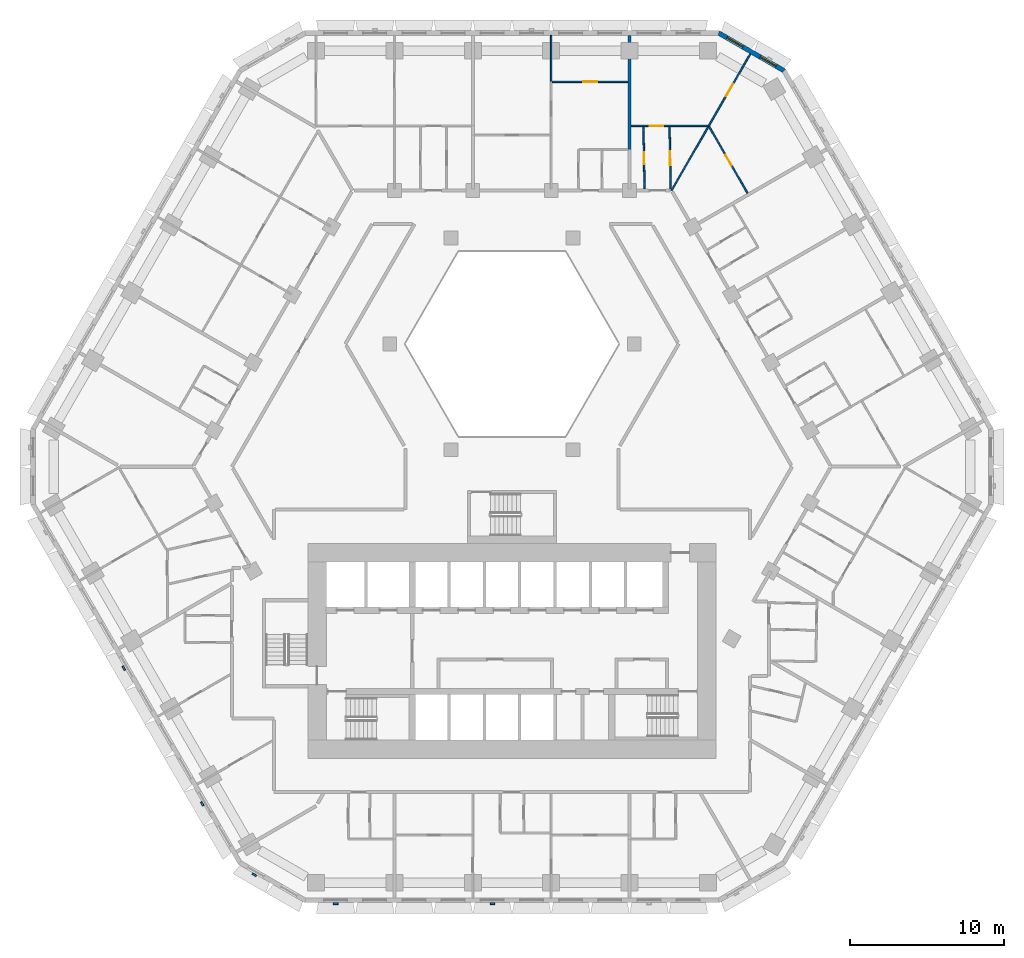
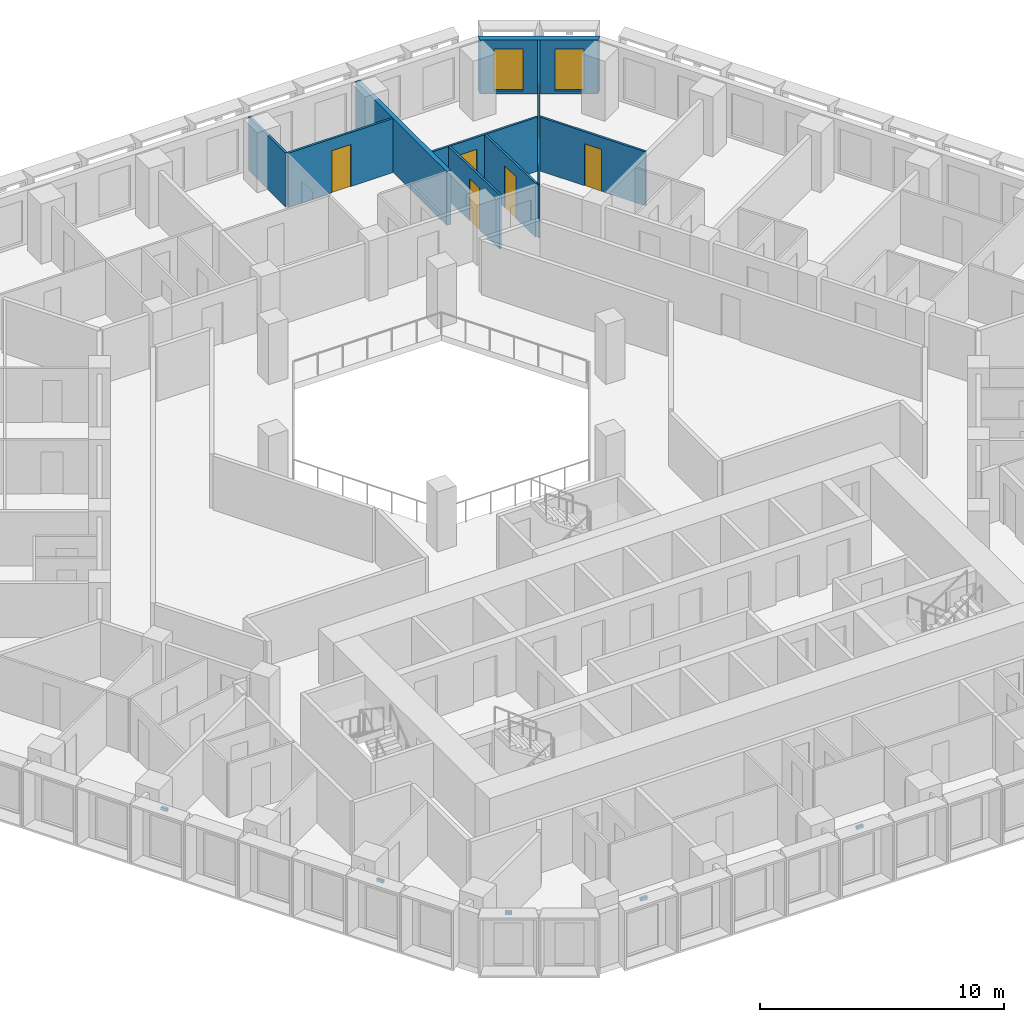
# One storey, part 12 of 21: 9 walls, 6 doors, 5 discrete accessories, 2 windows, 8 openings.
"""IFC4 building model written with IfcOpenShell, lengths in metres."""

from ifc_helpers import new_model, si_unit, direction, frame, frame_2d, origin, place, context, subcontext, project, spatial, polyline, rectangle, outline, extrude, source, transform, mapped, material, layer, layer_set, type_object, type_shapes, element, fill, save


model = new_model("IFC4")

# Units and contexts
model_context = context("Model", 3, precision=1e-05, world=origin(), true_north=direction((0.0, 1.0)))
body_context = subcontext(model_context, "Body", "Model", "MODEL_VIEW")
ifc_project = project(units=[si_unit("LENGTHUNIT", "METRE"), si_unit("AREAUNIT", "SQUARE_METRE"), si_unit("VOLUMEUNIT", "CUBIC_METRE"), si_unit("PLANEANGLEUNIT", "RADIAN"), si_unit("MASSUNIT", "GRAM", prefix="KILO")], contexts=[model_context])

# Site, building, storey
site_placement = place(None, origin())
site = spatial("IfcSite", under=ifc_project, at=site_placement, CompositionType="ELEMENT")
building_placement = place(site_placement, origin())
building = spatial("IfcBuilding", under=site, at=building_placement, Name="Beryl Residences", CompositionType="ELEMENT")
storey_placement = place(building_placement, frame((0.0, 0.0, 47.39990234375)))
storey = spatial("IfcBuildingStorey", under=building, at=storey_placement, Name="L14", CompositionType="ELEMENT", Elevation=47.39990234375)

# Wall, openings, windows
ifc_material_1 = material(Name="Composite metal panel with mineral wool insulation")
ifc_layer_1 = layer(ifc_material_1, 0.300048828125)
ifc_layer_set_1 = layer_set([ifc_layer_1], Name="ES1 pale metal composite panel wall 300 mm")
wall_type_1 = type_object("IfcWallType", Name="ES1 pale metal composite panel wall 300 mm", PredefinedType="SOLIDWALL", material=ifc_layer_set_1)
wall_1_placement = place(storey_placement, frame((17.764892578125, 25.77001953125, 0.0), z_axis=(0.0, 0.0, 1.0), x_axis=(-0.866010750942, 0.50002537861, 0.0)))
wall_1 = element("IfcWall", 1, at=wall_1_placement, inside=storey, type_object=wall_type_1, Name="ES1 external wall L14 NE-N", PredefinedType="SOLIDWALL", context=body_context, shape_type="SweptSolid", body=[
    extrude(outline(polyline([(0.0, -0.14990234375), (4.999755859375, -0.14990234375), (4.91943359375, 0.14990234375), (0.080322265625, 0.14990234375), (0.0, -0.14990234375)])), origin(), (0.0, 0.0, 1.0), 2.7001953125),
])
opening_1_placement = place(wall_1_placement, frame((0.64990234375, 0.0, 0.14990234375)))
opening_1 = element("IfcOpeningElement", 2, at=opening_1_placement, cuts=wall_1, Name="Opening W2", PredefinedType="OPENING", context=body_context, shape_type="SweptSolid", body=[
    extrude(rectangle(XDim=1.199951171875, YDim=2.10009765625, at=frame_2d((0.60009765625, 1.050048828125))), frame((0.0, 0.159912109375, 0.0), z_axis=(0.0, -1.0, 0.0), x_axis=(1.0, 0.0, 0.0)), (0.0, 0.0, 1.0), 0.320068359375),
])
opening_2_placement = place(wall_1_placement, frame((3.14990234375, 0.0, 0.14990234375)))
opening_2 = element("IfcOpeningElement", 3, at=opening_2_placement, cuts=wall_1, Name="Opening W2", PredefinedType="OPENING", context=body_context, shape_type="SweptSolid", body=[
    extrude(rectangle(XDim=1.199951171875, YDim=2.10009765625, at=frame_2d((0.60009765625, 1.050048828125))), frame((0.0, 0.159912109375, 0.0), z_axis=(0.0, -1.0, 0.0), x_axis=(1.0, 0.0, 0.0)), (0.0, 0.0, 1.0), 0.320068359375),
])
ifc_material_2 = material(Name="Aluminium and clear glass", Category="aluminium")
window_type = type_object("IfcWindowType", Name="W2 chamfer window 1200 x 2100 mm", PartitioningType="SINGLE_PANEL", PredefinedType="WINDOW", material=ifc_material_2)
window_1_placement = place(opening_1_placement, origin())
window_1 = element("IfcWindow", 4, at=window_1_placement, inside=storey, type_object=window_type, Name="W2 window L14 NE-N 1", OverallHeight=2.10009765625, OverallWidth=1.199951171875, PartitioningType="SINGLE_PANEL", PredefinedType="WINDOW", context=body_context, shape_type="SweptSolid", body=[
    extrude(rectangle(XDim=1.199951171875, YDim=2.10009765625, at=frame_2d((0.60009765625, 1.050048828125))), frame((0.0, 0.030029296875, 0.0), z_axis=(0.0, -1.0, 0.0), x_axis=(1.0, 0.0, 0.0)), (0.0, 0.0, 1.0), 0.06005859375),
])
fill(opening_1, window_1)
window_2_placement = place(opening_2_placement, origin())
window_2 = element("IfcWindow", 5, at=window_2_placement, inside=storey, type_object=window_type, Name="W2 window L14 NE-N 2", OverallHeight=2.10009765625, OverallWidth=1.199951171875, PartitioningType="SINGLE_PANEL", PredefinedType="WINDOW", context=body_context, shape_type="SweptSolid", body=[
    extrude(rectangle(XDim=1.199951171875, YDim=2.10009765625, at=frame_2d((0.60009765625, 1.050048828125))), frame((0.0, 0.030029296875, 0.0), z_axis=(0.0, -1.0, 0.0), x_axis=(1.0, 0.0, 0.0)), (0.0, 0.0, 1.0), 0.06005859375),
])
fill(opening_2, window_2)

# Wall, opening, door
ifc_material_3 = material(Name="Gypsum board partition on steel studs", Category="steel")
ifc_layer_2 = layer(ifc_material_3, 0.10009765625)
ifc_layer_set_2 = layer_set([ifc_layer_2], Name="PT1 partition 100 mm gypsum board on steel studs")
wall_type_2 = type_object("IfcWallType", Name="PT1 partition 100 mm gypsum board on steel studs", PredefinedType="PARTITIONING", material=ifc_layer_set_2)
wall_2_placement = place(storey_placement, frame((12.845947265625, 22.14990234375, 0.0), z_axis=(0.0, 0.0, 1.0), x_axis=(0.500002715276, -0.866023836113, 0.0)))
wall_2 = element("IfcWall", 6, at=wall_2_placement, inside=storey, type_object=wall_type_2, Name="Wall PT1 L14 006", PredefinedType="PARTITIONING", context=body_context, shape_type="SweptSolid", body=[
    extrude(rectangle(XDim=5.001953125, YDim=0.10009765625, at=frame_2d((2.5009765625, 0.0))), origin(), (0.0, 0.0, 1.0), 2.7001953125),
])
opening_3_placement = place(wall_2_placement, frame((2.1220703125, 0.0, 0.0)))
opening_3 = element("IfcOpeningElement", 7, at=opening_3_placement, cuts=wall_2, Name="Opening D0268", PredefinedType="OPENING", context=body_context, shape_type="SweptSolid", body=[
    extrude(rectangle(XDim=0.800048828125, YDim=2.10009765625, at=frame_2d((0.39990234375, 1.050048828125))), frame((0.0, 0.06005859375, 0.0), z_axis=(0.0, -1.0, 0.0), x_axis=(1.0, 0.0, 0.0)), (0.0, 0.0, 1.0), 0.1201171875),
])
ifc_material_4 = material(Name="Timber door leaf", Category="wood")
door_type_1 = type_object("IfcDoorType", Name="D3 bathroom door 800 x 2100 mm", OperationType="SINGLE_SWING_LEFT", PredefinedType="DOOR", material=ifc_material_4)
door_1_placement = place(opening_3_placement, origin())
door_1 = element("IfcDoor", 8, at=door_1_placement, inside=storey, type_object=door_type_1, Name="Door D0268 L14 001", OperationType="SINGLE_SWING_RIGHT", OverallHeight=2.10009765625, OverallWidth=0.800048828125, PredefinedType="DOOR", context=body_context, shape_type="SweptSolid", body=[
    extrude(rectangle(XDim=0.800048828125, YDim=2.10009765625, at=frame_2d((0.39990234375, 1.050048828125))), frame((0.0, 0.02490234375, 0.0), z_axis=(0.0, -1.0, 0.0), x_axis=(1.0, 0.0, 0.0)), (0.0, 0.0, 1.0), 0.050048828125),
])
fill(opening_3, door_1)

wall_3_placement = place(storey_placement, frame((8.56201171875, 22.14990234375, 0.0), z_axis=(0.0, 0.0, 1.0), x_axis=(0.018504185939, -0.999828782894, 0.0)))
wall_3 = element("IfcWall", 9, at=wall_3_placement, inside=storey, type_object=wall_type_2, Name="Wall PT1 L14 008", PredefinedType="PARTITIONING", context=body_context, shape_type="SweptSolid", body=[
    extrude(rectangle(XDim=4.050537109375, YDim=0.10009765625, at=frame_2d((2.025390625, 0.0))), origin(), (0.0, 0.0, 1.0), 2.7001953125),
])
opening_4_placement = place(wall_3_placement, frame((1.64990234375, 0.0, 0.0)))
opening_4 = element("IfcOpeningElement", 10, at=opening_4_placement, cuts=wall_3, Name="Opening D0264", PredefinedType="OPENING", context=body_context, shape_type="SweptSolid", body=[
    extrude(rectangle(XDim=0.800048828125, YDim=2.10009765625, at=frame_2d((0.39990234375, 1.050048828125))), frame((0.0, 0.06005859375, 0.0), z_axis=(0.0, -1.0, 0.0), x_axis=(1.0, 0.0, 0.0)), (0.0, 0.0, 1.0), 0.1201171875),
])
door_2_placement = place(opening_4_placement, origin())
door_2 = element("IfcDoor", 11, at=door_2_placement, inside=storey, type_object=door_type_1, Name="Door D0264 L14 001", OperationType="SINGLE_SWING_RIGHT", OverallHeight=2.10009765625, OverallWidth=0.800048828125, PredefinedType="DOOR", context=body_context, shape_type="SweptSolid", body=[
    extrude(rectangle(XDim=0.800048828125, YDim=2.10009765625, at=frame_2d((0.39990234375, 1.050048828125))), frame((0.0, 0.02490234375, 0.0), z_axis=(0.0, -1.0, 0.0), x_axis=(1.0, 0.0, 0.0)), (0.0, 0.0, 1.0), 0.050048828125),
])
fill(opening_4, door_2)

wall_4_placement = place(storey_placement, frame((10.261962890625, 22.14990234375, 0.0), z_axis=(0.0, 0.0, 1.0), x_axis=(0.018730524712, -0.999824568334, 0.0)))
wall_4 = element("IfcWall", 12, at=wall_4_placement, inside=storey, type_object=wall_type_2, Name="Wall PT1 L14 009", PredefinedType="PARTITIONING", context=body_context, shape_type="SweptSolid", body=[
    extrude(rectangle(XDim=4.0537109375, YDim=0.10009765625, at=frame_2d((2.02685546875, 0.0))), origin(), (0.0, 0.0, 1.0), 2.7001953125),
])
opening_5_placement = place(wall_4_placement, frame((1.60009765625, 0.0, 0.0)))
opening_5 = element("IfcOpeningElement", 13, at=opening_5_placement, cuts=wall_4, Name="Opening D0265", PredefinedType="OPENING", context=body_context, shape_type="SweptSolid", body=[
    extrude(rectangle(XDim=0.89990234375, YDim=2.10009765625, at=frame_2d((0.449951171875, 1.050048828125))), frame((0.0, 0.06005859375, 0.0), z_axis=(0.0, -1.0, 0.0), x_axis=(1.0, 0.0, 0.0)), (0.0, 0.0, 1.0), 0.1201171875),
])
ifc_material_5 = material(Name="Timber door leaf", Category="wood")
door_type_2 = type_object("IfcDoorType", Name="D2 room door 900 x 2100 mm", OperationType="SINGLE_SWING_LEFT", PredefinedType="DOOR", material=ifc_material_5)
door_3_placement = place(opening_5_placement, origin())
door_3 = element("IfcDoor", 14, at=door_3_placement, inside=storey, type_object=door_type_2, Name="Door D0265 L14 001", OperationType="SINGLE_SWING_LEFT", OverallHeight=2.10009765625, OverallWidth=0.89990234375, PredefinedType="DOOR", context=body_context, shape_type="SweptSolid", body=[
    extrude(rectangle(XDim=0.89990234375, YDim=2.10009765625, at=frame_2d((0.449951171875, 1.050048828125))), frame((0.0, 0.02490234375, 0.0), z_axis=(0.0, -1.0, 0.0), x_axis=(1.0, 0.0, 0.0)), (0.0, 0.0, 1.0), 0.050048828125),
])
fill(opening_5, door_3)

# Wall
wall_5_placement = place(storey_placement, frame((2.551025390625, 28.10009765625, 0.0), z_axis=(0.0, 0.0, 1.0), x_axis=(0.0, -1.0, 0.0)))
element("IfcWall", 15, at=wall_5_placement, inside=storey, type_object=wall_type_2, Name="Wall PT1 L14 013", PredefinedType="PARTITIONING", context=body_context, shape_type="SweptSolid", body=[
    extrude(rectangle(XDim=3.0, YDim=0.10009765625, at=frame_2d((1.5, 0.0))), origin(), (0.0, 0.0, 1.0), 2.7001953125),
])

# Wall, opening, door
wall_6_placement = place(storey_placement, frame((7.7548828125, 22.199951171875, 0.0), z_axis=(0.0, 0.0, 1.0), x_axis=(1.0, 0.0, 0.0)))
wall_6 = element("IfcWall", 16, at=wall_6_placement, inside=storey, type_object=wall_type_2, Name="Wall PT1 L14 038", PredefinedType="PARTITIONING", context=body_context, shape_type="SweptSolid", body=[
    extrude(rectangle(XDim=5.005126953125, YDim=0.10009765625, at=frame_2d((2.50244140625, 0.0))), origin(), (0.0, 0.0, 1.0), 2.7001953125),
])
opening_6_placement = place(wall_6_placement, frame((1.2060546875, 0.0, 0.0)))
opening_6 = element("IfcOpeningElement", 17, at=opening_6_placement, cuts=wall_6, Name="Opening D0266", PredefinedType="OPENING", context=body_context, shape_type="SweptSolid", body=[
    extrude(rectangle(XDim=0.89990234375, YDim=2.10009765625, at=frame_2d((0.449951171875, 1.050048828125))), frame((0.0, 0.06005859375, 0.0), z_axis=(0.0, -1.0, 0.0), x_axis=(1.0, 0.0, 0.0)), (0.0, 0.0, 1.0), 0.1201171875),
])
door_4_placement = place(opening_6_placement, origin())
door_4 = element("IfcDoor", 18, at=door_4_placement, inside=storey, type_object=door_type_2, Name="Door D0266 L14 001", OperationType="SINGLE_SWING_RIGHT", OverallHeight=2.10009765625, OverallWidth=0.89990234375, PredefinedType="DOOR", context=body_context, shape_type="SweptSolid", body=[
    extrude(rectangle(XDim=0.89990234375, YDim=2.10009765625, at=frame_2d((0.449951171875, 1.050048828125))), frame((0.0, 0.02490234375, 0.0), z_axis=(0.0, -1.0, 0.0), x_axis=(1.0, 0.0, 0.0)), (0.0, 0.0, 1.0), 0.050048828125),
])
fill(opening_6, door_4)

wall_7_placement = place(storey_placement, frame((2.60107421875, 25.070068359375, 0.0), z_axis=(0.0, 0.0, 1.0), x_axis=(1.0, 0.0, 0.0)))
wall_7 = element("IfcWall", 19, at=wall_7_placement, inside=storey, type_object=wall_type_2, Name="Wall PT1 L14 039", PredefinedType="PARTITIONING", context=body_context, shape_type="SweptSolid", body=[
    extrude(rectangle(XDim=4.953857421875, YDim=0.10009765625, at=frame_2d((2.47705078125, 0.0))), origin(), (0.0, 0.0, 1.0), 2.7001953125),
])
opening_7_placement = place(wall_7_placement, frame((2.052001953125, 0.0, 0.0)))
opening_7 = element("IfcOpeningElement", 20, at=opening_7_placement, cuts=wall_7, Name="Opening D0272", PredefinedType="OPENING", context=body_context, shape_type="SweptSolid", body=[
    extrude(rectangle(XDim=0.89990234375, YDim=2.10009765625, at=frame_2d((0.449951171875, 1.050048828125))), frame((0.0, 0.06005859375, 0.0), z_axis=(0.0, -1.0, 0.0), x_axis=(1.0, 0.0, 0.0)), (0.0, 0.0, 1.0), 0.1201171875),
])
door_5_placement = place(opening_7_placement, origin())
door_5 = element("IfcDoor", 21, at=door_5_placement, inside=storey, type_object=door_type_2, Name="Door D0272 L14 001", OperationType="SINGLE_SWING_RIGHT", OverallHeight=2.10009765625, OverallWidth=0.89990234375, PredefinedType="DOOR", context=body_context, shape_type="SweptSolid", body=[
    extrude(rectangle(XDim=0.89990234375, YDim=2.10009765625, at=frame_2d((0.449951171875, 1.050048828125))), frame((0.0, 0.02490234375, 0.0), z_axis=(0.0, -1.0, 0.0), x_axis=(1.0, 0.0, 0.0)), (0.0, 0.0, 1.0), 0.050048828125),
])
fill(opening_7, door_5)

wall_8_placement = place(storey_placement, frame((10.39306640625, 18.0, 0.0), z_axis=(0.0, 0.0, 1.0), x_axis=(0.499945497007, 0.866056868816, 0.0)))
wall_8 = element("IfcWall", 22, at=wall_8_placement, inside=storey, type_object=wall_type_2, Name="Wall PT1 L14 041", PredefinedType="PARTITIONING", context=body_context, shape_type="SweptSolid", body=[
    extrude(rectangle(XDim=10.264892578125, YDim=0.10009765625, at=frame_2d((5.13232421875, 0.0))), origin(), (0.0, 0.0, 1.0), 2.7001953125),
])
opening_8_placement = place(wall_8_placement, frame((7.10791015625, 0.0, 0.0)))
opening_8 = element("IfcOpeningElement", 23, at=opening_8_placement, cuts=wall_8, Name="Opening D0267", PredefinedType="OPENING", context=body_context, shape_type="SweptSolid", body=[
    extrude(rectangle(XDim=0.89990234375, YDim=2.10009765625, at=frame_2d((0.449951171875, 1.050048828125))), frame((0.0, 0.06005859375, 0.0), z_axis=(0.0, -1.0, 0.0), x_axis=(1.0, 0.0, 0.0)), (0.0, 0.0, 1.0), 0.1201171875),
])
door_6_placement = place(opening_8_placement, origin())
door_6 = element("IfcDoor", 24, at=door_6_placement, inside=storey, type_object=door_type_2, Name="Door D0267 L14 001", OperationType="SINGLE_SWING_LEFT", OverallHeight=2.10009765625, OverallWidth=0.89990234375, PredefinedType="DOOR", context=body_context, shape_type="SweptSolid", body=[
    extrude(rectangle(XDim=0.89990234375, YDim=2.10009765625, at=frame_2d((0.449951171875, 1.050048828125))), frame((0.0, 0.02490234375, 0.0), z_axis=(0.0, -1.0, 0.0), x_axis=(1.0, 0.0, 0.0)), (0.0, 0.0, 1.0), 0.050048828125),
])
fill(opening_8, door_6)

# Wall
ifc_material_6 = material(Name="Acoustic double stud gypsum board wall")
ifc_layer_3 = layer(ifc_material_6, 0.199951171875)
ifc_layer_set_3 = layer_set([ifc_layer_3], Name="PT3 party wall 200 mm acoustic double stud")
wall_type_3 = type_object("IfcWallType", Name="PT3 party wall 200 mm acoustic double stud", PredefinedType="PARTITIONING", material=ifc_layer_set_3)
wall_9_placement = place(storey_placement, frame((7.655029296875, 20.639892578125, 0.0), z_axis=(0.0, 0.0, 1.0), x_axis=(0.0, 1.0, 0.0)))
element("IfcWall", 25, at=wall_9_placement, inside=storey, type_object=wall_type_3, Name="Wall PT3 L14 019", PredefinedType="PARTITIONING", context=body_context, shape_type="SweptSolid", body=[
    extrude(rectangle(XDim=7.460205078125, YDim=0.199951171875, at=frame_2d((3.72998046875, 0.0))), origin(), (0.0, 0.0, 1.0), 2.7001953125),
])

# Discrete accessories
ifc_material_7 = material(Name="Steel S355", Category="steel")
discrete_accessory_type = type_object("IfcDiscreteAccessoryType", Name="BR1 frame bracket 300 x 120 x 150 mm", PredefinedType="BRACKET", material=ifc_material_7)
shared_shape = source(origin(), body_context, "Body", "SweptSolid", [
    extrude(outline(polyline([(-0.14990234375, 0.0), (0.14990234375, 0.0), (0.14990234375, 0.1201171875), (-0.14990234375, 0.1201171875), (-0.14990234375, 0.0)])), origin(), (0.0, 0.0, 1.0), 0.14990234375),
])
type_shapes(discrete_accessory_type, [shared_shape])
for number, where, z_axis, x_axis, name in (
    (26, (-25.23193359375, -13.095947265625, 2.75), (0.0, 0.0, 1.0), (-0.5, 0.866025403784, 0.0), "BR1 bracket L14 SW 5"),
    (27, (-20.12890625, -21.93603515625, 2.75), (0.0, 0.0, 1.0), (-0.5, 0.866025403784, 0.0), "BR1 bracket L14 SW 9"),
    (28, (-16.758056640625, -26.52490234375, 2.75), (0.0, 0.0, 1.0), (-0.866025403784, 0.5, 0.0), "BR1 bracket L14 SW-S 1"),
    (29, (-11.48291015625, -28.39990234375, 2.75), (0.0, 0.0, 1.0), (-1.0, 0.0, 0.0), "BR1 bracket L14 S 1"),
    (30, (-1.27490234375, -28.39990234375, 2.75), (0.0, 0.0, 1.0), (-1.0, 0.0, 0.0), "BR1 bracket L14 S 5"),
):
    element("IfcDiscreteAccessory", number, at=place(storey_placement, frame(where, z_axis=z_axis, x_axis=x_axis)), inside=storey, type_object=discrete_accessory_type, Name=name, PredefinedType="BRACKET", context=body_context, shape_type="MappedRepresentation", body=[
        mapped(shared_shape, transform((0.0, 0.0, 0.0))),
    ])

save(model, "model.ifc")
